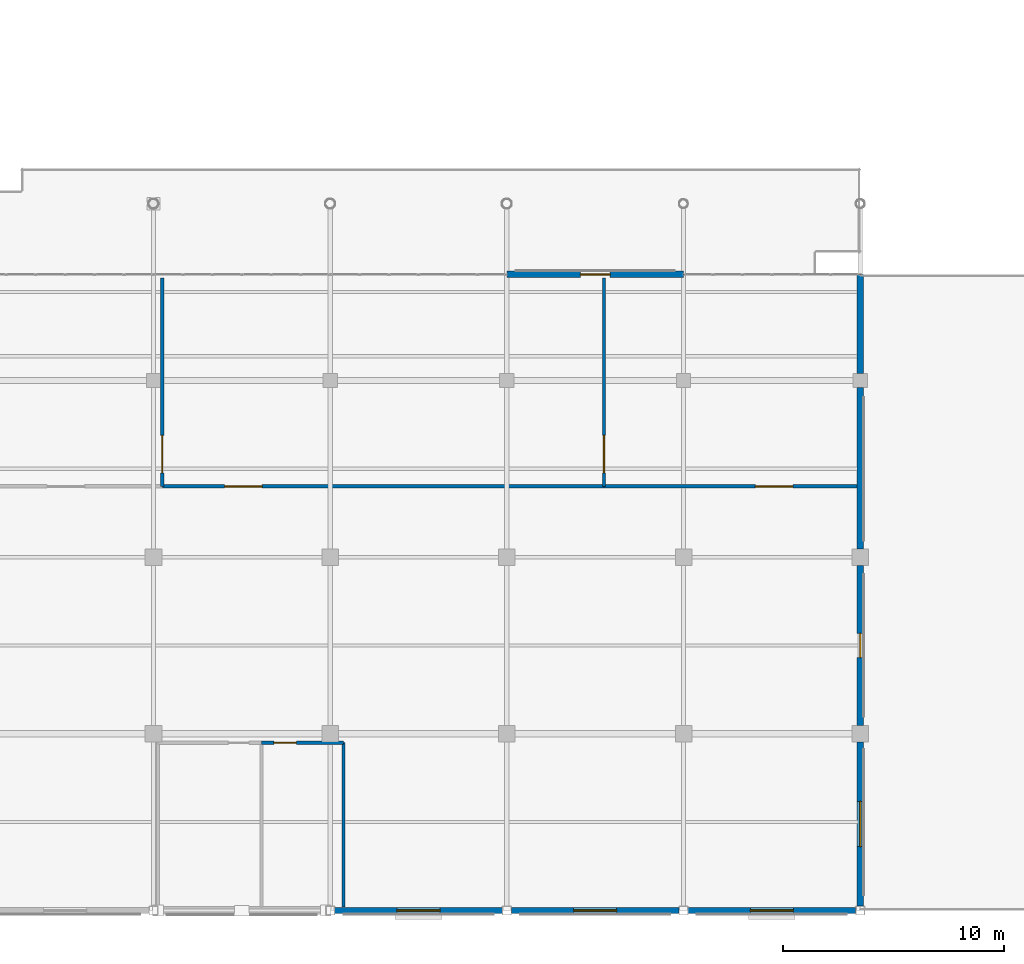
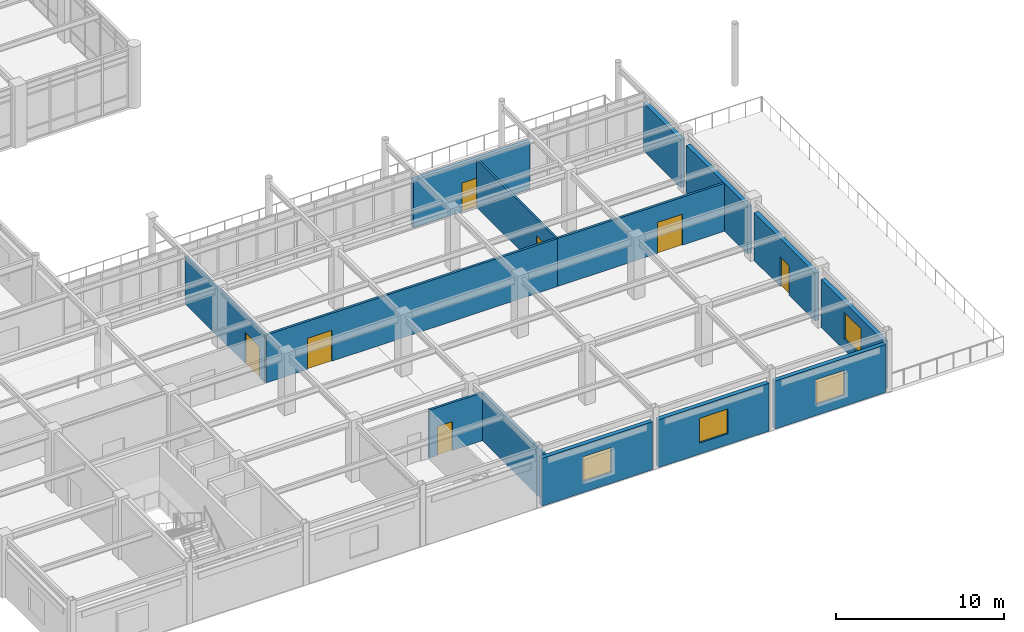
# One storey, part 56 of 75: 14 walls, 7 doors, 4 windows, 11 openings.
"""IFC4 building model written with IfcOpenShell, lengths in metres."""

from ifc_helpers import new_model, si_unit, direction, frame, frame_2d, origin, place, context, subcontext, project, spatial, rectangle, extrude, material, layer, layer_set, type_object, element, fill, save


model = new_model("IFC4")

# Units and contexts
model_context = context("Model", 3, precision=1e-05, world=origin(), true_north=direction((0.0, 1.0)))
body_context = subcontext(model_context, "Body", "Model", "MODEL_VIEW")
ifc_project = project(units=[si_unit("LENGTHUNIT", "METRE"), si_unit("AREAUNIT", "SQUARE_METRE"), si_unit("VOLUMEUNIT", "CUBIC_METRE"), si_unit("PLANEANGLEUNIT", "RADIAN"), si_unit("MASSUNIT", "GRAM", prefix="KILO")], contexts=[model_context])

# Site, building, storey
site_placement = place(None, origin())
site = spatial("IfcSite", under=ifc_project, at=site_placement, CompositionType="ELEMENT")
building_placement = place(site_placement, origin())
building = spatial("IfcBuilding", under=site, at=building_placement, Name="Solmirada Galleria", CompositionType="ELEMENT")
storey_placement = place(building_placement, frame((0.0, 0.0, 19.39990234375)))
storey = spatial("IfcBuildingStorey", under=building, at=storey_placement, Name="L04", CompositionType="ELEMENT", Elevation=19.39990234375)

# Wall, opening, door
ifc_material_1 = material(Name="Precast concrete C40/50", Category="concrete")
ifc_layer_1 = layer(ifc_material_1, 0.2900390625)
ifc_layer_set_1 = layer_set([ifc_layer_1], Name="Precast concrete C40/50")
wall_type_1 = type_object("IfcWallType", Name="WL-EXT-290", PredefinedType="STANDARD", material=ifc_layer_set_1)
wall_1_placement = place(storey_placement, frame((120.0, 28.800048828125, 0.0), z_axis=(0.0, 0.0, 1.0), x_axis=(1.0, 0.0, 0.0)))
wall_1 = element("IfcWall", 1, at=wall_1_placement, inside=storey, type_object=wall_type_1, Name="Exterior wall L04 bay 053", PredefinedType="STANDARD", context=body_context, shape_type="SweptSolid", body=[
    extrude(rectangle(XDim=8.0, YDim=0.2900390625, at=frame_2d((4.0, 0.0))), origin(), (0.0, 0.0, 1.0), 3.47998046875),
])
opening_1_placement = place(wall_1_placement, frame((3.324951171875, 0.0, 0.0)))
opening_1 = element("IfcOpeningElement", 2, at=opening_1_placement, cuts=wall_1, Name="Opening TD-072", PredefinedType="OPENING", context=body_context, shape_type="SweptSolid", body=[
    extrude(rectangle(XDim=1.35009765625, YDim=2.10009765625, at=frame_2d((0.675048828125, 1.050048828125))), frame((0.0, 0.155029296875, 0.0), z_axis=(0.0, -1.0, 0.0), x_axis=(1.0, 0.0, 0.0)), (0.0, 0.0, 1.0), 0.31005859375),
])
ifc_material_2 = material(Name="Thermally broken aluminium and laminated glass door", Category="aluminium")
door_type_1 = type_object("IfcDoorType", Name="DR-TERR-135X210", OperationType="DOUBLE_DOOR_SINGLE_SWING", PredefinedType="DOOR", material=ifc_material_2)
door_1_placement = place(opening_1_placement, origin())
door_1 = element("IfcDoor", 3, at=door_1_placement, inside=storey, type_object=door_type_1, Name="Planted terrace access door TD-072", OperationType="DOUBLE_DOOR_SINGLE_SWING", OverallHeight=2.10009765625, OverallWidth=1.35009765625, PredefinedType="DOOR", context=body_context, shape_type="SweptSolid", body=[
    extrude(rectangle(XDim=1.35009765625, YDim=2.10009765625, at=frame_2d((0.675048828125, 1.050048828125))), frame((0.0, 0.02490234375, 0.0), z_axis=(0.0, -1.0, 0.0), x_axis=(1.0, 0.0, 0.0)), (0.0, 0.0, 1.0), 0.050048828125),
])
fill(opening_1, door_1)

# Walls
wall_2_placement = place(storey_placement, frame((136.0, 28.800048828125, 0.0), z_axis=(0.0, 0.0, 1.0), x_axis=(0.0, -1.0, 0.0)))
element("IfcWall", 4, at=wall_2_placement, inside=storey, type_object=wall_type_1, Name="Exterior wall L04 bay 055", PredefinedType="STANDARD", context=body_context, shape_type="SweptSolid", body=[
    extrude(rectangle(XDim=4.47509765625, YDim=0.2900390625, at=frame_2d((2.237548828125, 0.0))), origin(), (0.0, 0.0, 1.0), 3.47998046875),
])
wall_3_placement = place(storey_placement, frame((136.0, 23.675048828125, 0.0), z_axis=(0.0, 0.0, 1.0), x_axis=(0.0, -1.0, 0.0)))
element("IfcWall", 5, at=wall_3_placement, inside=storey, type_object=wall_type_1, Name="Exterior wall L04 bay 056", PredefinedType="STANDARD", context=body_context, shape_type="SweptSolid", body=[
    extrude(rectangle(XDim=7.300048828125, YDim=0.2900390625, at=frame_2d((3.64990234375, 0.0))), origin(), (0.0, 0.0, 1.0), 3.47998046875),
])

# Wall, opening, door
wall_4_placement = place(storey_placement, frame((136.0, 15.625, 0.0), z_axis=(0.0, 0.0, 1.0), x_axis=(0.0, -1.0, 0.0)))
wall_4 = element("IfcWall", 6, at=wall_4_placement, inside=storey, type_object=wall_type_1, Name="Exterior wall L04 bay 057", PredefinedType="STANDARD", context=body_context, shape_type="SweptSolid", body=[
    extrude(rectangle(XDim=7.25, YDim=0.2900390625, at=frame_2d((3.625, 0.0))), origin(), (0.0, 0.0, 1.0), 3.47998046875),
])
opening_2_placement = place(wall_4_placement, frame((3.074951171875, 0.0, 0.0)))
opening_2 = element("IfcOpeningElement", 7, at=opening_2_placement, cuts=wall_4, Name="Opening TD-073", PredefinedType="OPENING", context=body_context, shape_type="SweptSolid", body=[
    extrude(rectangle(XDim=1.10009765625, YDim=2.14990234375, at=frame_2d((0.550048828125, 1.074951171875))), frame((0.0, 0.155029296875, 0.0), z_axis=(0.0, -1.0, 0.0), x_axis=(1.0, 0.0, 0.0)), (0.0, 0.0, 1.0), 0.31005859375),
])
door_type_2 = type_object("IfcDoorType", Name="DR-TERR-110X215", OperationType="NOTDEFINED", PredefinedType="DOOR", material=ifc_material_2)
door_2_placement = place(opening_2_placement, origin())
door_2 = element("IfcDoor", 8, at=door_2_placement, inside=storey, type_object=door_type_2, Name="Planted terrace access door TD-073", OperationType="SINGLE_SWING_LEFT", OverallHeight=2.14990234375, OverallWidth=1.10009765625, PredefinedType="DOOR", context=body_context, shape_type="SweptSolid", body=[
    extrude(rectangle(XDim=1.10009765625, YDim=2.14990234375, at=frame_2d((0.550048828125, 1.074951171875))), frame((0.0, 0.02490234375, 0.0), z_axis=(0.0, -1.0, 0.0), x_axis=(1.0, 0.0, 0.0)), (0.0, 0.0, 1.0), 0.050048828125),
])
fill(opening_2, door_2)

# Wall, opening, window
wall_5_placement = place(storey_placement, frame((136.0, 7.625, 0.0), z_axis=(0.0, 0.0, 1.0), x_axis=(0.0, -1.0, 0.0)))
wall_5 = element("IfcWall", 9, at=wall_5_placement, inside=storey, type_object=wall_type_1, Name="Exterior wall L04 bay 058", PredefinedType="STANDARD", context=body_context, shape_type="SweptSolid", body=[
    extrude(rectangle(XDim=7.422119140625, YDim=0.2900390625, at=frame_2d((3.7109375, 0.0))), origin(), (0.0, 0.0, 1.0), 3.47998046875),
])
opening_3_placement = place(wall_5_placement, frame((2.68603515625, 0.0, 0.800048828125)))
opening_3 = element("IfcOpeningElement", 10, at=opening_3_placement, cuts=wall_5, Name="Opening WN4", PredefinedType="OPENING", context=body_context, shape_type="SweptSolid", body=[
    extrude(rectangle(XDim=2.050048828125, YDim=1.949951171875, at=frame_2d((1.02490234375, 0.97509765625))), frame((0.0, 0.155029296875, 0.0), z_axis=(0.0, -1.0, 0.0), x_axis=(1.0, 0.0, 0.0)), (0.0, 0.0, 1.0), 0.31005859375),
])
ifc_material_3 = material(Name="Impact-resistant low-E double glazing", Category="glass")
window_type_1 = type_object("IfcWindowType", Name="WIN-AVE-205X195", PartitioningType="DOUBLE_PANEL_VERTICAL", PredefinedType="WINDOW", material=ifc_material_3)
window_1_placement = place(opening_3_placement, origin())
window_1 = element("IfcWindow", 11, at=window_1_placement, inside=storey, type_object=window_type_1, Name="Window L04-131", OverallHeight=1.949951171875, OverallWidth=2.050048828125, PartitioningType="DOUBLE_PANEL_VERTICAL", PredefinedType="WINDOW", context=body_context, shape_type="SweptSolid", body=[
    extrude(rectangle(XDim=2.050048828125, YDim=1.949951171875, at=frame_2d((1.02490234375, 0.97509765625))), frame((0.0, 0.030029296875, 0.0), z_axis=(0.0, -1.0, 0.0), x_axis=(1.0, 0.0, 0.0)), (0.0, 0.0, 1.0), 0.06005859375),
])
fill(opening_3, window_1)

wall_6_placement = place(storey_placement, frame((135.797119140625, 0.0, 0.0), z_axis=(0.0, 0.0, 1.0), x_axis=(-1.0, 0.0, 0.0)))
wall_6 = element("IfcWall", 12, at=wall_6_placement, inside=storey, type_object=wall_type_1, Name="Exterior wall L04 bay 059", PredefinedType="STANDARD", context=body_context, shape_type="SweptSolid", body=[
    extrude(rectangle(XDim=7.59423828125, YDim=0.2900390625, at=frame_2d((3.797119140625, 0.0))), origin(), (0.0, 0.0, 1.0), 3.47998046875),
])
opening_4_placement = place(wall_6_placement, frame((2.822021484375, 0.0, 0.800048828125)))
opening_4 = element("IfcOpeningElement", 13, at=opening_4_placement, cuts=wall_6, Name="Opening WN30", PredefinedType="OPENING", context=body_context, shape_type="SweptSolid", body=[
    extrude(rectangle(XDim=1.949951171875, YDim=1.800048828125, at=frame_2d((0.97509765625, 0.89990234375))), frame((0.0, 0.155029296875, 0.0), z_axis=(0.0, -1.0, 0.0), x_axis=(1.0, 0.0, 0.0)), (0.0, 0.0, 1.0), 0.31005859375),
])
window_type_2 = type_object("IfcWindowType", Name="WIN-ATEL-195X180", PartitioningType="DOUBLE_PANEL_VERTICAL", PredefinedType="WINDOW", material=ifc_material_3)
window_2_placement = place(opening_4_placement, origin())
window_2 = element("IfcWindow", 14, at=window_2_placement, inside=storey, type_object=window_type_2, Name="Window L04-132", OverallHeight=1.800048828125, OverallWidth=1.949951171875, PartitioningType="DOUBLE_PANEL_VERTICAL", PredefinedType="WINDOW", context=body_context, shape_type="SweptSolid", body=[
    extrude(rectangle(XDim=1.949951171875, YDim=1.800048828125, at=frame_2d((0.97509765625, 0.89990234375))), frame((0.0, 0.030029296875, 0.0), z_axis=(0.0, -1.0, 0.0), x_axis=(1.0, 0.0, 0.0)), (0.0, 0.0, 1.0), 0.06005859375),
])
fill(opening_4, window_2)

wall_7_placement = place(storey_placement, frame((127.797119140625, 0.0, 0.0), z_axis=(0.0, 0.0, 1.0), x_axis=(-1.0, 0.0, 0.0)))
wall_7 = element("IfcWall", 15, at=wall_7_placement, inside=storey, type_object=wall_type_1, Name="Exterior wall L04 bay 060", PredefinedType="STANDARD", context=body_context, shape_type="SweptSolid", body=[
    extrude(rectangle(XDim=7.59423828125, YDim=0.2900390625, at=frame_2d((3.797119140625, 0.0))), origin(), (0.0, 0.0, 1.0), 3.47998046875),
])
opening_5_placement = place(wall_7_placement, frame((2.822021484375, 0.0, 0.800048828125)))
opening_5 = element("IfcOpeningElement", 16, at=opening_5_placement, cuts=wall_7, Name="Opening WN30", PredefinedType="OPENING", context=body_context, shape_type="SweptSolid", body=[
    extrude(rectangle(XDim=1.949951171875, YDim=1.800048828125, at=frame_2d((0.97509765625, 0.89990234375))), frame((0.0, 0.155029296875, 0.0), z_axis=(0.0, -1.0, 0.0), x_axis=(1.0, 0.0, 0.0)), (0.0, 0.0, 1.0), 0.31005859375),
])
window_3_placement = place(opening_5_placement, origin())
window_3 = element("IfcWindow", 17, at=window_3_placement, inside=storey, type_object=window_type_2, Name="Window L04-133", OverallHeight=1.800048828125, OverallWidth=1.949951171875, PartitioningType="DOUBLE_PANEL_VERTICAL", PredefinedType="WINDOW", context=body_context, shape_type="SweptSolid", body=[
    extrude(rectangle(XDim=1.949951171875, YDim=1.800048828125, at=frame_2d((0.97509765625, 0.89990234375))), frame((0.0, 0.030029296875, 0.0), z_axis=(0.0, -1.0, 0.0), x_axis=(1.0, 0.0, 0.0)), (0.0, 0.0, 1.0), 0.06005859375),
])
fill(opening_5, window_3)

wall_8_placement = place(storey_placement, frame((119.797119140625, 0.0, 0.0), z_axis=(0.0, 0.0, 1.0), x_axis=(-1.0, 0.0, 0.0)))
wall_8 = element("IfcWall", 18, at=wall_8_placement, inside=storey, type_object=wall_type_1, Name="Exterior wall L04 bay 061", PredefinedType="STANDARD", context=body_context, shape_type="SweptSolid", body=[
    extrude(rectangle(XDim=7.59423828125, YDim=0.2900390625, at=frame_2d((3.797119140625, 0.0))), origin(), (0.0, 0.0, 1.0), 3.47998046875),
])
opening_6_placement = place(wall_8_placement, frame((2.822021484375, 0.0, 0.800048828125)))
opening_6 = element("IfcOpeningElement", 19, at=opening_6_placement, cuts=wall_8, Name="Opening WN30", PredefinedType="OPENING", context=body_context, shape_type="SweptSolid", body=[
    extrude(rectangle(XDim=1.949951171875, YDim=1.800048828125, at=frame_2d((0.97509765625, 0.89990234375))), frame((0.0, 0.155029296875, 0.0), z_axis=(0.0, -1.0, 0.0), x_axis=(1.0, 0.0, 0.0)), (0.0, 0.0, 1.0), 0.31005859375),
])
window_4_placement = place(opening_6_placement, origin())
window_4 = element("IfcWindow", 20, at=window_4_placement, inside=storey, type_object=window_type_2, Name="Window L04-134", OverallHeight=1.800048828125, OverallWidth=1.949951171875, PartitioningType="DOUBLE_PANEL_VERTICAL", PredefinedType="WINDOW", context=body_context, shape_type="SweptSolid", body=[
    extrude(rectangle(XDim=1.949951171875, YDim=1.800048828125, at=frame_2d((0.97509765625, 0.89990234375))), frame((0.0, 0.030029296875, 0.0), z_axis=(0.0, -1.0, 0.0), x_axis=(1.0, 0.0, 0.0)), (0.0, 0.0, 1.0), 0.06005859375),
])
fill(opening_6, window_4)

# Wall
ifc_material_4 = material(Name="Acoustic gypsum board partition")
ifc_layer_2 = layer(ifc_material_4, 0.135009765625)
ifc_layer_set_2 = layer_set([ifc_layer_2], Name="Acoustic gypsum board partition")
wall_type_2 = type_object("IfcWallType", Name="WL-PART-135", PredefinedType="PARTITIONING", material=ifc_layer_set_2)
wall_9_placement = place(storey_placement, frame((112.60009765625, 0.14990234375, 0.0), z_axis=(0.0, 0.0, 1.0), x_axis=(0.0, 1.0, 0.0)))
element("IfcWall", 21, at=wall_9_placement, inside=storey, type_object=wall_type_2, Name="Partition L04-133 (South WC East)", PredefinedType="PARTITIONING", context=body_context, shape_type="SweptSolid", body=[
    extrude(rectangle(XDim=7.4501953125, YDim=0.135009765625, at=frame_2d((3.72509765625, 0.0))), origin(), (0.0, 0.0, 1.0), 3.47998046875),
])

# Wall, opening, door
wall_10_placement = place(storey_placement, frame((124.39990234375, 19.199951171875, 0.0), z_axis=(0.0, 0.0, 1.0), x_axis=(0.0, 1.0, 0.0)))
wall_10 = element("IfcWall", 22, at=wall_10_placement, inside=storey, type_object=wall_type_2, Name="Partition L04-138 (South Department E L04)", PredefinedType="PARTITIONING", context=body_context, shape_type="SweptSolid", body=[
    extrude(rectangle(XDim=9.449951171875, YDim=0.135009765625, at=frame_2d((4.72509765625, 0.0))), origin(), (0.0, 0.0, 1.0), 3.47998046875),
])
opening_7_placement = place(wall_10_placement, frame((0.611083984375, 0.0, 0.0)))
opening_7 = element("IfcOpeningElement", 23, at=opening_7_placement, cuts=wall_10, Name="Opening ID-358", PredefinedType="OPENING", context=body_context, shape_type="SweptSolid", body=[
    extrude(rectangle(XDim=1.699951171875, YDim=2.25, at=frame_2d((0.85009765625, 1.125))), frame((0.0, 0.077392578125, 0.0), z_axis=(0.0, -1.0, 0.0), x_axis=(1.0, 0.0, 0.0)), (0.0, 0.0, 1.0), 0.155029296875),
])
ifc_material_5 = material(Name="Architectural hardwood veneer door", Category="wood")
door_type_3 = type_object("IfcDoorType", Name="DR-DEPT-170X225", OperationType="DOUBLE_DOOR_SINGLE_SWING", PredefinedType="DOOR", material=ifc_material_5)
door_3_placement = place(opening_7_placement, origin())
door_3 = element("IfcDoor", 24, at=door_3_placement, inside=storey, type_object=door_type_3, Name="South Department E L04 door ID-358", OperationType="DOUBLE_DOOR_SINGLE_SWING", OverallHeight=2.25, OverallWidth=1.699951171875, PredefinedType="DOOR", context=body_context, shape_type="SweptSolid", body=[
    extrude(rectangle(XDim=1.699951171875, YDim=2.25, at=frame_2d((0.85009765625, 1.125))), frame((0.0, 0.02490234375, 0.0), z_axis=(0.0, -1.0, 0.0), x_axis=(1.0, 0.0, 0.0)), (0.0, 0.0, 1.0), 0.050048828125),
])
fill(opening_7, door_3)

ifc_layer_3 = layer(ifc_material_4, 0.159912109375)
ifc_layer_set_3 = layer_set([ifc_layer_3], Name="Acoustic gypsum board partition")
wall_type_3 = type_object("IfcWallType", Name="WL-PART-160", PredefinedType="PARTITIONING", material=ifc_layer_set_3)
wall_11_placement = place(storey_placement, frame((108.89990234375, 7.60009765625, 0.0), z_axis=(0.0, 0.0, 1.0), x_axis=(1.0, 0.0, 0.0)))
wall_11 = element("IfcWall", 25, at=wall_11_placement, inside=storey, type_object=wall_type_3, Name="Partition L04-130 (South Accessible WC)", PredefinedType="PARTITIONING", context=body_context, shape_type="SweptSolid", body=[
    extrude(rectangle(XDim=3.7001953125, YDim=0.159912109375, at=frame_2d((1.85009765625, 0.0))), origin(), (0.0, 0.0, 1.0), 3.47998046875),
])
opening_8_placement = place(wall_11_placement, frame((0.548095703125, 0.0, 0.0)))
opening_8 = element("IfcOpeningElement", 26, at=opening_8_placement, cuts=wall_11, Name="Opening ID-353", PredefinedType="OPENING", context=body_context, shape_type="SweptSolid", body=[
    extrude(rectangle(XDim=1.02001953125, YDim=2.10009765625, at=frame_2d((0.510009765625, 1.050048828125))), frame((0.0, 0.08984375, 0.0), z_axis=(0.0, -1.0, 0.0), x_axis=(1.0, 0.0, 0.0)), (0.0, 0.0, 1.0), 0.179931640625),
])
door_type_4 = type_object("IfcDoorType", Name="DR-AWC-102X210", OperationType="NOTDEFINED", PredefinedType="DOOR", material=ifc_material_5)
door_4_placement = place(opening_8_placement, origin())
door_4 = element("IfcDoor", 27, at=door_4_placement, inside=storey, type_object=door_type_4, Name="South Accessible WC door ID-353", OperationType="SINGLE_SWING_LEFT", OverallHeight=2.10009765625, OverallWidth=1.02001953125, PredefinedType="DOOR", context=body_context, shape_type="SweptSolid", body=[
    extrude(rectangle(XDim=1.02001953125, YDim=2.10009765625, at=frame_2d((0.510009765625, 1.050048828125))), frame((0.0, 0.02490234375, 0.0), z_axis=(0.0, -1.0, 0.0), x_axis=(1.0, 0.0, 0.0)), (0.0, 0.0, 1.0), 0.050048828125),
])
fill(opening_8, door_4)

wall_12_placement = place(storey_placement, frame((104.39990234375, 19.199951171875, 0.0), z_axis=(0.0, 0.0, 1.0), x_axis=(1.0, 0.0, 0.0)))
wall_12 = element("IfcWall", 28, at=wall_12_placement, inside=storey, type_object=wall_type_3, Name="Partition L04-135 (South Gallery C L04)", PredefinedType="PARTITIONING", context=body_context, shape_type="SweptSolid", body=[
    extrude(rectangle(XDim=20.0, YDim=0.159912109375, at=frame_2d((10.0, 0.0))), origin(), (0.0, 0.0, 1.0), 3.47998046875),
])
opening_9_placement = place(wall_12_placement, frame((2.820068359375, 0.0, 0.0)))
opening_9 = element("IfcOpeningElement", 29, at=opening_9_placement, cuts=wall_12, Name="Opening ID-355", PredefinedType="OPENING", context=body_context, shape_type="SweptSolid", body=[
    extrude(rectangle(XDim=1.699951171875, YDim=2.25, at=frame_2d((0.85009765625, 1.125))), frame((0.0, 0.08984375, 0.0), z_axis=(0.0, -1.0, 0.0), x_axis=(1.0, 0.0, 0.0)), (0.0, 0.0, 1.0), 0.179931640625),
])
door_5_placement = place(opening_9_placement, origin())
door_5 = element("IfcDoor", 30, at=door_5_placement, inside=storey, type_object=door_type_3, Name="South Gallery C L04 door ID-355", OperationType="DOUBLE_DOOR_SINGLE_SWING", OverallHeight=2.25, OverallWidth=1.699951171875, PredefinedType="DOOR", context=body_context, shape_type="SweptSolid", body=[
    extrude(rectangle(XDim=1.699951171875, YDim=2.25, at=frame_2d((0.85009765625, 1.125))), frame((0.0, 0.02490234375, 0.0), z_axis=(0.0, -1.0, 0.0), x_axis=(1.0, 0.0, 0.0)), (0.0, 0.0, 1.0), 0.050048828125),
])
fill(opening_9, door_5)

wall_13_placement = place(storey_placement, frame((124.39990234375, 19.199951171875, 0.0), z_axis=(0.0, 0.0, 1.0), x_axis=(1.0, 0.0, 0.0)))
wall_13 = element("IfcWall", 31, at=wall_13_placement, inside=storey, type_object=wall_type_3, Name="Partition L04-136 (South Gallery E L04)", PredefinedType="PARTITIONING", context=body_context, shape_type="SweptSolid", body=[
    extrude(rectangle(XDim=11.4501953125, YDim=0.159912109375, at=frame_2d((5.72509765625, 0.0))), origin(), (0.0, 0.0, 1.0), 3.47998046875),
])
opening_10_placement = place(wall_13_placement, frame((6.85498046875, 0.0, 0.0)))
opening_10 = element("IfcOpeningElement", 32, at=opening_10_placement, cuts=wall_13, Name="Opening ID-356", PredefinedType="OPENING", context=body_context, shape_type="SweptSolid", body=[
    extrude(rectangle(XDim=1.699951171875, YDim=2.25, at=frame_2d((0.85009765625, 1.125))), frame((0.0, 0.08984375, 0.0), z_axis=(0.0, -1.0, 0.0), x_axis=(1.0, 0.0, 0.0)), (0.0, 0.0, 1.0), 0.179931640625),
])
door_6_placement = place(opening_10_placement, origin())
door_6 = element("IfcDoor", 33, at=door_6_placement, inside=storey, type_object=door_type_3, Name="South Gallery E L04 door ID-356", OperationType="DOUBLE_DOOR_SINGLE_SWING", OverallHeight=2.25, OverallWidth=1.699951171875, PredefinedType="DOOR", context=body_context, shape_type="SweptSolid", body=[
    extrude(rectangle(XDim=1.699951171875, YDim=2.25, at=frame_2d((0.85009765625, 1.125))), frame((0.0, 0.02490234375, 0.0), z_axis=(0.0, -1.0, 0.0), x_axis=(1.0, 0.0, 0.0)), (0.0, 0.0, 1.0), 0.050048828125),
])
fill(opening_10, door_6)

wall_14_placement = place(storey_placement, frame((104.39990234375, 19.199951171875, 0.0), z_axis=(0.0, 0.0, 1.0), x_axis=(0.0, 1.0, 0.0)))
wall_14 = element("IfcWall", 34, at=wall_14_placement, inside=storey, type_object=wall_type_3, Name="Partition L04-137 (South Department W L04)", PredefinedType="PARTITIONING", context=body_context, shape_type="SweptSolid", body=[
    extrude(rectangle(XDim=9.449951171875, YDim=0.159912109375, at=frame_2d((4.72509765625, 0.0))), origin(), (0.0, 0.0, 1.0), 3.47998046875),
])
opening_11_placement = place(wall_14_placement, frame((0.611083984375, 0.0, 0.0)))
opening_11 = element("IfcOpeningElement", 35, at=opening_11_placement, cuts=wall_14, Name="Opening ID-357", PredefinedType="OPENING", context=body_context, shape_type="SweptSolid", body=[
    extrude(rectangle(XDim=1.699951171875, YDim=2.25, at=frame_2d((0.85009765625, 1.125))), frame((0.0, 0.08984375, 0.0), z_axis=(0.0, -1.0, 0.0), x_axis=(1.0, 0.0, 0.0)), (0.0, 0.0, 1.0), 0.179931640625),
])
door_7_placement = place(opening_11_placement, origin())
door_7 = element("IfcDoor", 36, at=door_7_placement, inside=storey, type_object=door_type_3, Name="South Department W L04 door ID-357", OperationType="DOUBLE_DOOR_SINGLE_SWING", OverallHeight=2.25, OverallWidth=1.699951171875, PredefinedType="DOOR", context=body_context, shape_type="SweptSolid", body=[
    extrude(rectangle(XDim=1.699951171875, YDim=2.25, at=frame_2d((0.85009765625, 1.125))), frame((0.0, 0.02490234375, 0.0), z_axis=(0.0, -1.0, 0.0), x_axis=(1.0, 0.0, 0.0)), (0.0, 0.0, 1.0), 0.050048828125),
])
fill(opening_11, door_7)

save(model, "model.ifc")
